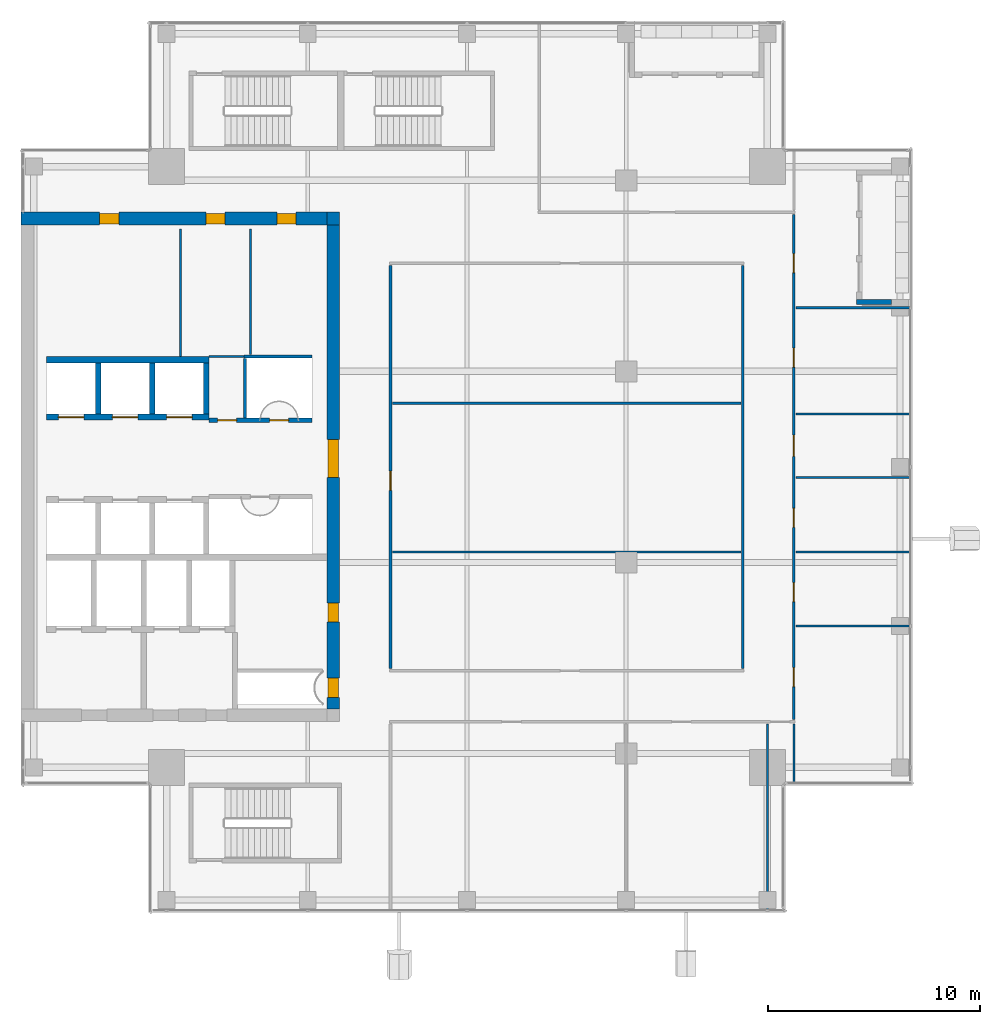
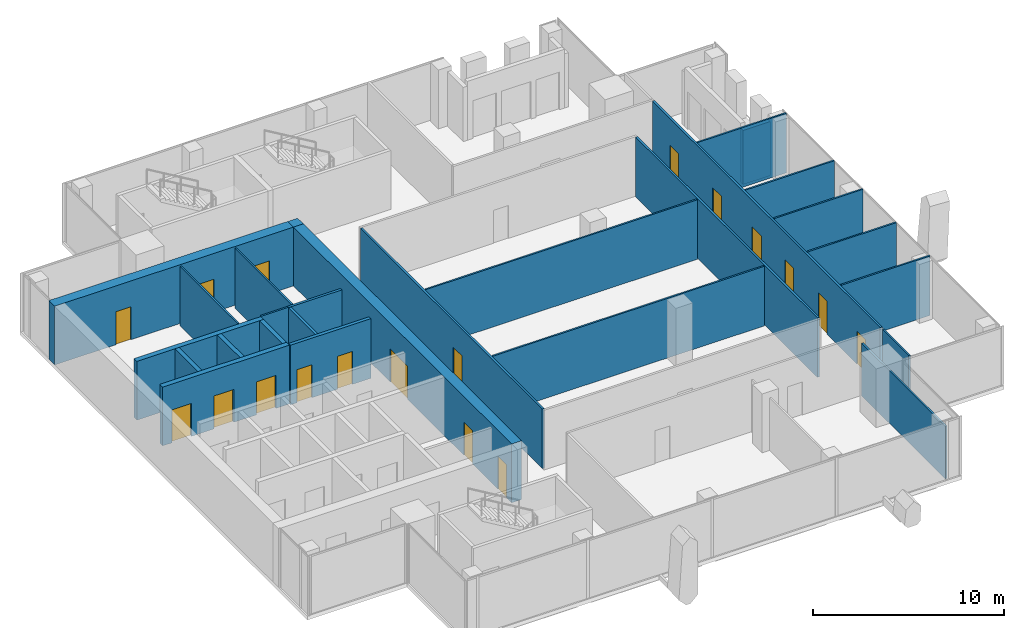
# One storey, part 24 of 28: 27 walls, 18 doors, 18 openings.
"""IFC4 building model written with IfcOpenShell, lengths in metres."""

from ifc_helpers import new_model, si_unit, direction, frame, frame_2d, origin, place, context, subcontext, project, spatial, rectangle, extrude, source, transform, mapped, material, layer, layer_set, type_object, element, fill, save


model = new_model("IFC4")

# Units and contexts
model_context = context("Model", 3, precision=1e-05, world=origin(), true_north=direction((0.0, 1.0)))
body_context = subcontext(model_context, "Body", "Model", "MODEL_VIEW")
ifc_project = project(units=[si_unit("LENGTHUNIT", "METRE"), si_unit("AREAUNIT", "SQUARE_METRE"), si_unit("VOLUMEUNIT", "CUBIC_METRE"), si_unit("PLANEANGLEUNIT", "RADIAN"), si_unit("MASSUNIT", "GRAM", prefix="KILO")], contexts=[model_context])

# Site, building, storey
site_placement = place(None, origin())
site = spatial("IfcSite", under=ifc_project, at=site_placement, CompositionType="ELEMENT")
building_placement = place(site_placement, origin())
building = spatial("IfcBuilding", under=site, at=building_placement, Name="Khomas Fold Tower", CompositionType="ELEMENT")
storey_placement = place(building_placement, frame((0.0, 0.0, 298.199951171875)))
storey = spatial("IfcBuildingStorey", under=building, at=storey_placement, Name="L67", CompositionType="ELEMENT", Elevation=298.199951171875)

# Walls
ifc_material_1 = material(Name="Concrete C50/60", Category="concrete")
ifc_layer_1 = layer(ifc_material_1, 0.25)
ifc_layer_set_1 = layer_set([ifc_layer_1], Name="Concrete C50/60")
wall_type_1 = type_object("IfcWallType", Name="Shaft wall 250", PredefinedType="STANDARD", material=ifc_layer_set_1)
shared_shape_1 = source(origin(), body_context, "Body", "SweptSolid", [
    extrude(rectangle(XDim=2.39990234375, YDim=0.25, at=frame_2d((1.199951171875, 0.0))), origin(), (0.0, 0.0, 1.0), 3.75),
])
for number, where, z_axis, x_axis, name in (
    (1, (9.625, 29.5, 0.0), (0.0, 0.0, 1.0), (0.0, 1.0, 0.0), "Core wall SW-HRN-P1"),
    (2, (12.175048828125, 29.5, 0.0), (0.0, 0.0, 1.0), (0.0, 1.0, 0.0), "Core wall SW-HRN-P2"),
    (3, (14.72509765625, 29.5, 0.0), (0.0, 0.0, 1.0), (0.0, 1.0, 0.0), "Core wall SW-HRN-PE"),
):
    element("IfcWall", number, at=place(storey_placement, frame(where, z_axis=z_axis, x_axis=x_axis)), inside=storey, type_object=wall_type_1, Name=name, PredefinedType="STANDARD", context=body_context, shape_type="MappedRepresentation", body=[
        mapped(shared_shape_1, transform((0.0, 0.0, 0.0))),
    ])

# Wall, openings, doors
ifc_material_2 = material(Name="Concrete C50/60", Category="concrete")
ifc_layer_2 = layer(ifc_material_2, 0.60009765625)
ifc_layer_set_2 = layer_set([ifc_layer_2], Name="Concrete C50/60")
wall_type_2 = type_object("IfcWallType", Name="Core wall 600", PredefinedType="SHEAR", material=ifc_layer_set_2)
shared_shape_2 = source(origin(), body_context, "Body", "SweptSolid", [
    extrude(rectangle(XDim=14.39990234375, YDim=0.60009765625, at=frame_2d((7.199951171875, 0.0))), origin(), (0.0, 0.0, 1.0), 3.75),
])
wall_1_placement = place(storey_placement, frame((6.0, 38.699951171875, 0.0), z_axis=(0.0, 0.0, 1.0), x_axis=(1.0, 0.0, 0.0)))
wall_1 = element("IfcWall", 4, at=wall_1_placement, inside=storey, type_object=wall_type_2, Name="Core wall CW-U-N-L63", PredefinedType="SHEAR", context=body_context, shape_type="MappedRepresentation", body=[
    mapped(shared_shape_2, transform((0.0, 0.0, 0.0))),
])
shared_shape_3 = source(origin(), body_context, "Body", "SweptSolid", [
    extrude(rectangle(XDim=0.89990234375, YDim=2.10009765625, at=frame_2d((0.449951171875, 1.050048828125))), frame((0.0, 0.31005859375, 0.0), z_axis=(0.0, -1.0, 0.0), x_axis=(1.0, 0.0, 0.0)), (0.0, 0.0, 1.0), 0.6201171875),
])
opening_1_placement = place(wall_1_placement, frame((3.699951171875, 0.0, 0.0)))
opening_1 = element("IfcOpeningElement", 5, at=opening_1_placement, cuts=wall_1, Name="Opening 0008", PredefinedType="OPENING", context=body_context, shape_type="MappedRepresentation", body=[
    mapped(shared_shape_3, transform((0.0, 0.0, 0.0))),
])
opening_2_placement = place(wall_1_placement, frame((8.699951171875, 0.0, 0.0)))
opening_2 = element("IfcOpeningElement", 6, at=opening_2_placement, cuts=wall_1, Name="Opening 0008", PredefinedType="OPENING", context=body_context, shape_type="MappedRepresentation", body=[
    mapped(shared_shape_3, transform((0.0, 0.0, 0.0))),
])
opening_3_placement = place(wall_1_placement, frame((12.050048828125, 0.0, 0.0)))
opening_3 = element("IfcOpeningElement", 7, at=opening_3_placement, cuts=wall_1, Name="Opening 0008", PredefinedType="OPENING", context=body_context, shape_type="MappedRepresentation", body=[
    mapped(shared_shape_3, transform((0.0, 0.0, 0.0))),
])
ifc_material_3 = material(Name="Timber door leaf", Category="wood")
door_type_1 = type_object("IfcDoorType", Name="Door 900x2100 right-hand", OperationType="SINGLE_SWING_RIGHT", PredefinedType="DOOR", material=ifc_material_3)
shared_shape_4 = source(origin(), body_context, "Body", "SweptSolid", [
    extrude(rectangle(XDim=0.89990234375, YDim=2.10009765625, at=frame_2d((0.449951171875, 1.050048828125))), frame((0.0, 0.25, 0.0), z_axis=(0.0, -1.0, 0.0), x_axis=(1.0, 0.0, 0.0)), (0.0, 0.0, 1.0), 0.5),
])
door_1_placement = place(opening_1_placement, origin())
door_1 = element("IfcDoor", 8, at=door_1_placement, inside=storey, type_object=door_type_1, Name="Door", OperationType="SINGLE_SWING_RIGHT", OverallHeight=2.10009765625, OverallWidth=0.89990234375, PredefinedType="DOOR", context=body_context, shape_type="MappedRepresentation", body=[
    mapped(shared_shape_4, transform((0.0, 0.0, 0.0))),
])
fill(opening_1, door_1)
door_2_placement = place(opening_2_placement, origin())
door_2 = element("IfcDoor", 9, at=door_2_placement, inside=storey, type_object=door_type_1, Name="Door", OperationType="SINGLE_SWING_RIGHT", OverallHeight=2.10009765625, OverallWidth=0.89990234375, PredefinedType="DOOR", context=body_context, shape_type="MappedRepresentation", body=[
    mapped(shared_shape_4, transform((0.0, 0.0, 0.0))),
])
fill(opening_2, door_2)
door_3_placement = place(opening_3_placement, origin())
door_3 = element("IfcDoor", 10, at=door_3_placement, inside=storey, type_object=door_type_1, Name="Door", OperationType="SINGLE_SWING_RIGHT", OverallHeight=2.10009765625, OverallWidth=0.89990234375, PredefinedType="DOOR", context=body_context, shape_type="MappedRepresentation", body=[
    mapped(shared_shape_4, transform((0.0, 0.0, 0.0))),
])
fill(opening_3, door_3)

# Wall
ifc_material_4 = material(Name="Concrete C50/60", Category="concrete")
ifc_layer_3 = layer(ifc_material_4, 0.60009765625)
ifc_layer_set_3 = layer_set([ifc_layer_3], Name="Concrete C50/60")
wall_type_3 = type_object("IfcWallType", Name="Core corner wall 600", PredefinedType="SHEAR", material=ifc_layer_set_3)
shared_shape_5 = source(origin(), body_context, "Body", "SweptSolid", [
    extrude(rectangle(XDim=0.60009765625, YDim=0.60009765625, at=frame_2d((0.300048828125, 0.0))), origin(), (0.0, 0.0, 1.0), 3.75),
])
wall_2_placement = place(storey_placement, frame((20.39990234375, 38.699951171875, 0.0), z_axis=(0.0, 0.0, 1.0), x_axis=(1.0, 0.0, 0.0)))
element("IfcWall", 11, at=wall_2_placement, inside=storey, type_object=wall_type_3, Name="Core wall CW-U-NE-L63", PredefinedType="SHEAR", context=body_context, shape_type="MappedRepresentation", body=[
    mapped(shared_shape_5, transform((0.0, 0.0, 0.0))),
])

# Wall, openings, doors
shared_shape_6 = source(origin(), body_context, "Body", "SweptSolid", [
    extrude(rectangle(XDim=22.7998046875, YDim=0.60009765625, at=frame_2d((11.39990234375, 0.0))), origin(), (0.0, 0.0, 1.0), 3.75),
])
wall_3_placement = place(storey_placement, frame((20.699951171875, 15.60009765625, 0.0), z_axis=(0.0, 0.0, 1.0), x_axis=(0.0, 1.0, 0.0)))
wall_3 = element("IfcWall", 12, at=wall_3_placement, inside=storey, type_object=wall_type_2, Name="Core wall CW-U-E-L63", PredefinedType="SHEAR", context=body_context, shape_type="MappedRepresentation", body=[
    mapped(shared_shape_6, transform((0.0, 0.0, 0.0))),
])
shared_shape_7 = source(origin(), body_context, "Body", "SweptSolid", [
    extrude(rectangle(XDim=1.800048828125, YDim=2.10009765625, at=frame_2d((0.89990234375, 1.050048828125))), frame((0.0, 0.31005859375, 0.0), z_axis=(0.0, -1.0, 0.0), x_axis=(1.0, 0.0, 0.0)), (0.0, 0.0, 1.0), 0.6201171875),
])
opening_4_placement = place(wall_3_placement, frame((10.89990234375, 0.0, 0.0)))
opening_4 = element("IfcOpeningElement", 13, at=opening_4_placement, cuts=wall_3, Name="Opening 0015", PredefinedType="OPENING", context=body_context, shape_type="MappedRepresentation", body=[
    mapped(shared_shape_7, transform((0.0, 0.0, 0.0))),
])
opening_5_placement = place(wall_3_placement, frame((0.550048828125, 0.0, 0.0)))
opening_5 = element("IfcOpeningElement", 14, at=opening_5_placement, cuts=wall_3, Name="Opening 0003", PredefinedType="OPENING", context=body_context, shape_type="MappedRepresentation", body=[
    mapped(shared_shape_3, transform((0.0, 0.0, 0.0))),
])
opening_6_placement = place(wall_3_placement, frame((4.10009765625, 0.0, 0.0)))
opening_6 = element("IfcOpeningElement", 15, at=opening_6_placement, cuts=wall_3, Name="Opening 0008", PredefinedType="OPENING", context=body_context, shape_type="MappedRepresentation", body=[
    mapped(shared_shape_3, transform((0.0, 0.0, 0.0))),
])
ifc_material_5 = material(Name="Steel door leaf", Category="steel")
door_type_2 = type_object("IfcDoorType", Name="Lobby door 1800x2100", OperationType="DOUBLE_DOOR_SINGLE_SWING", PredefinedType="DOOR", material=ifc_material_5)
shared_shape_8 = source(origin(), body_context, "Body", "SweptSolid", [
    extrude(rectangle(XDim=1.800048828125, YDim=2.10009765625, at=frame_2d((0.89990234375, 1.050048828125))), frame((0.0, 0.25, 0.0), z_axis=(0.0, -1.0, 0.0), x_axis=(1.0, 0.0, 0.0)), (0.0, 0.0, 1.0), 0.5),
])
door_4_placement = place(opening_4_placement, origin())
door_4 = element("IfcDoor", 16, at=door_4_placement, inside=storey, type_object=door_type_2, Name="Lobby door", OperationType="DOUBLE_DOOR_SINGLE_SWING", OverallHeight=2.10009765625, OverallWidth=1.800048828125, PredefinedType="DOOR", context=body_context, shape_type="MappedRepresentation", body=[
    mapped(shared_shape_8, transform((0.0, 0.0, 0.0))),
])
fill(opening_4, door_4)
ifc_material_6 = material(Name="Steel door leaf", Category="steel")
door_type_3 = type_object("IfcDoorType", Name="Plant room door 900x2100 right-hand", OperationType="SINGLE_SWING_RIGHT", PredefinedType="DOOR", material=ifc_material_6)
door_5_placement = place(opening_5_placement, origin())
door_5 = element("IfcDoor", 17, at=door_5_placement, inside=storey, type_object=door_type_3, Name="Plant room door", OperationType="SINGLE_SWING_RIGHT", OverallHeight=2.10009765625, OverallWidth=0.89990234375, PredefinedType="DOOR", context=body_context, shape_type="MappedRepresentation", body=[
    mapped(shared_shape_4, transform((0.0, 0.0, 0.0))),
])
fill(opening_5, door_5)
door_6_placement = place(opening_6_placement, origin())
door_6 = element("IfcDoor", 18, at=door_6_placement, inside=storey, type_object=door_type_1, Name="Door", OperationType="SINGLE_SWING_RIGHT", OverallHeight=2.10009765625, OverallWidth=0.89990234375, PredefinedType="DOOR", context=body_context, shape_type="MappedRepresentation", body=[
    mapped(shared_shape_4, transform((0.0, 0.0, 0.0))),
])
fill(opening_6, door_6)

# Wall
ifc_material_7 = material(Name="Concrete C50/60", Category="concrete")
ifc_layer_4 = layer(ifc_material_7, 0.300048828125)
ifc_layer_set_4 = layer_set([ifc_layer_4], Name="Concrete C50/60")
wall_type_4 = type_object("IfcWallType", Name="Shaft wall 300", PredefinedType="STANDARD", material=ifc_layer_set_4)
shared_shape_9 = source(origin(), body_context, "Body", "SweptSolid", [
    extrude(rectangle(XDim=7.650146484375, YDim=0.300048828125, at=frame_2d((3.8251953125, 0.0))), origin(), (0.0, 0.0, 1.0), 3.75),
])
wall_4_placement = place(storey_placement, frame((7.199951171875, 32.050048828125, 0.0), z_axis=(0.0, 0.0, 1.0), x_axis=(1.0, 0.0, 0.0)))
element("IfcWall", 19, at=wall_4_placement, inside=storey, type_object=wall_type_4, Name="Core wall SW-HRN-B", PredefinedType="STANDARD", context=body_context, shape_type="MappedRepresentation", body=[
    mapped(shared_shape_9, transform((0.0, 0.0, 0.0))),
])

# Wall, openings, doors
wall_5_placement = place(storey_placement, frame((7.199951171875, 29.35009765625, 0.0), z_axis=(0.0, 0.0, 1.0), x_axis=(1.0, 0.0, 0.0)))
wall_5 = element("IfcWall", 20, at=wall_5_placement, inside=storey, type_object=wall_type_4, Name="Core wall SW-HRN-F", PredefinedType="STANDARD", context=body_context, shape_type="MappedRepresentation", body=[
    mapped(shared_shape_9, transform((0.0, 0.0, 0.0))),
])
shared_shape_10 = source(origin(), body_context, "Body", "SweptSolid", [
    extrude(rectangle(XDim=1.199951171875, YDim=2.10009765625, at=frame_2d((0.60009765625, 1.050048828125))), frame((0.0, 0.159912109375, 0.0), z_axis=(0.0, -1.0, 0.0), x_axis=(1.0, 0.0, 0.0)), (0.0, 0.0, 1.0), 0.320068359375),
])
opening_7_placement = place(wall_5_placement, frame((0.550048828125, 0.0, 0.0)))
opening_7 = element("IfcOpeningElement", 21, at=opening_7_placement, cuts=wall_5, Name="Opening LD-HR4", PredefinedType="OPENING", context=body_context, shape_type="MappedRepresentation", body=[
    mapped(shared_shape_10, transform((0.0, 0.0, 0.0))),
])
opening_8_placement = place(wall_5_placement, frame((3.10009765625, 0.0, 0.0)))
opening_8 = element("IfcOpeningElement", 22, at=opening_8_placement, cuts=wall_5, Name="Opening LD-HR5", PredefinedType="OPENING", context=body_context, shape_type="MappedRepresentation", body=[
    mapped(shared_shape_10, transform((0.0, 0.0, 0.0))),
])
opening_9_placement = place(wall_5_placement, frame((5.64990234375, 0.0, 0.0)))
opening_9 = element("IfcOpeningElement", 23, at=opening_9_placement, cuts=wall_5, Name="Opening LD-HR6", PredefinedType="OPENING", context=body_context, shape_type="MappedRepresentation", body=[
    mapped(shared_shape_10, transform((0.0, 0.0, 0.0))),
])
ifc_material_8 = material(Name="Steel door leaf", Category="steel")
door_type_4 = type_object("IfcDoorType", Name="Landing door 1200x2100", OperationType="DOUBLE_DOOR_SLIDING", PredefinedType="DOOR", material=ifc_material_8)
shared_shape_11 = source(origin(), body_context, "Body", "SweptSolid", [
    extrude(rectangle(XDim=1.199951171875, YDim=2.10009765625, at=frame_2d((0.60009765625, 1.050048828125))), frame((0.0, 0.02490234375, 0.0), z_axis=(0.0, -1.0, 0.0), x_axis=(1.0, 0.0, 0.0)), (0.0, 0.0, 1.0), 0.050048828125),
])
door_7_placement = place(opening_7_placement, origin())
door_7 = element("IfcDoor", 24, at=door_7_placement, inside=storey, type_object=door_type_4, Name="Lift landing door", OperationType="DOUBLE_DOOR_SLIDING", OverallHeight=2.10009765625, OverallWidth=1.199951171875, PredefinedType="DOOR", context=body_context, shape_type="MappedRepresentation", body=[
    mapped(shared_shape_11, transform((0.0, 0.0, 0.0))),
])
fill(opening_7, door_7)
door_8_placement = place(opening_8_placement, origin())
door_8 = element("IfcDoor", 25, at=door_8_placement, inside=storey, type_object=door_type_4, Name="Lift landing door", OperationType="DOUBLE_DOOR_SLIDING", OverallHeight=2.10009765625, OverallWidth=1.199951171875, PredefinedType="DOOR", context=body_context, shape_type="MappedRepresentation", body=[
    mapped(shared_shape_11, transform((0.0, 0.0, 0.0))),
])
fill(opening_8, door_8)
door_9_placement = place(opening_9_placement, origin())
door_9 = element("IfcDoor", 26, at=door_9_placement, inside=storey, type_object=door_type_4, Name="Lift landing door", OperationType="DOUBLE_DOOR_SLIDING", OverallHeight=2.10009765625, OverallWidth=1.199951171875, PredefinedType="DOOR", context=body_context, shape_type="MappedRepresentation", body=[
    mapped(shared_shape_11, transform((0.0, 0.0, 0.0))),
])
fill(opening_9, door_9)

# Walls
ifc_material_9 = material(Name="Natural stone", Category="masonry")
ifc_layer_5 = layer(ifc_material_9, 0.0400390625)
ifc_material_10 = material(Name="Mineral wool insulation", Category="insulation")
ifc_layer_6 = layer(ifc_material_10, 0.10009765625)
ifc_material_11 = material(Name="Masonry", Category="masonry")
ifc_layer_7 = layer(ifc_material_11, 0.110107421875)
ifc_layer_set_5 = layer_set([ifc_layer_5, ifc_layer_6, ifc_layer_7], Name="Stone-faced insulated masonry")
wall_type_5 = type_object("IfcWallType", Name="BL-Balcony wall", PredefinedType="SOLIDWALL", material=ifc_layer_set_5)
shared_shape_12 = source(origin(), body_context, "Body", "SweptSolid", [
    extrude(rectangle(XDim=1.64990234375, YDim=0.25, at=frame_2d((0.824951171875, 0.0))), origin(), (0.0, 0.0, 1.0), 3.449951171875),
])
wall_6_placement = place(storey_placement, frame((47.0, 34.77490234375, 0.0), z_axis=(0.0, 0.0, 1.0), x_axis=(-1.0, 0.0, 0.0)))
element("IfcWall", 27, at=wall_6_placement, inside=storey, type_object=wall_type_5, Name="Balcony return wall BAL-L67-E4-lo", PredefinedType="SOLIDWALL", context=body_context, shape_type="MappedRepresentation", body=[
    mapped(shared_shape_12, transform((0.0, 0.0, 0.0))),
])
ifc_material_12 = material(Name="Plasterboard partition")
ifc_layer_8 = layer(ifc_material_12, 0.10009765625)
ifc_layer_set_6 = layer_set([ifc_layer_8], Name="Plasterboard partition")
wall_type_6 = type_object("IfcWallType", Name="Partition PW1 100", PredefinedType="PARTITIONING", material=ifc_layer_set_6)
shared_shape_13 = source(origin(), body_context, "Body", "SweptSolid", [
    extrude(rectangle(XDim=6.0, YDim=0.10009765625, at=frame_2d((3.0, 0.0))), origin(), (0.0, 0.0, 1.0), 3.800048828125),
])
wall_7_placement = place(storey_placement, frame((13.5, 32.199951171875, 0.0), z_axis=(0.0, 0.0, 1.0), x_axis=(0.0, 1.0, 0.0)))
element("IfcWall", 28, at=wall_7_placement, inside=storey, type_object=wall_type_6, Name="Partition", PredefinedType="PARTITIONING", context=body_context, shape_type="MappedRepresentation", body=[
    mapped(shared_shape_13, transform((0.0, 0.0, 0.0))),
])

# Wall, opening, door
ifc_material_13 = material(Name="Plasterboard partition")
ifc_layer_9 = layer(ifc_material_13, 0.125)
ifc_layer_set_7 = layer_set([ifc_layer_9], Name="Plasterboard partition")
wall_type_7 = type_object("IfcWallType", Name="Partition PW2 125", PredefinedType="PARTITIONING", material=ifc_layer_set_7)
shared_shape_14 = source(origin(), body_context, "Body", "SweptSolid", [
    extrude(rectangle(XDim=19.0, YDim=0.125, at=frame_2d((9.5, 0.0))), origin(), (0.0, 0.0, 1.0), 3.800048828125),
])
wall_8_placement = place(storey_placement, frame((23.39990234375, 17.5, 0.0), z_axis=(0.0, 0.0, 1.0), x_axis=(0.0, 1.0, 0.0)))
wall_8 = element("IfcWall", 29, at=wall_8_placement, inside=storey, type_object=wall_type_7, Name="Partition", PredefinedType="PARTITIONING", context=body_context, shape_type="MappedRepresentation", body=[
    mapped(shared_shape_14, transform((0.0, 0.0, 0.0))),
])
shared_shape_15 = source(origin(), body_context, "Body", "SweptSolid", [
    extrude(rectangle(XDim=0.89990234375, YDim=2.10009765625, at=frame_2d((0.449951171875, 1.050048828125))), frame((0.0, 0.072509765625, 0.0), z_axis=(0.0, -1.0, 0.0), x_axis=(1.0, 0.0, 0.0)), (0.0, 0.0, 1.0), 0.14501953125),
])
opening_10_placement = place(wall_8_placement, frame((8.39990234375, 0.0, 0.0)))
opening_10 = element("IfcOpeningElement", 30, at=opening_10_placement, cuts=wall_8, Name="Opening 0007", PredefinedType="OPENING", context=body_context, shape_type="MappedRepresentation", body=[
    mapped(shared_shape_15, transform((0.0, 0.0, 0.0))),
])
ifc_material_14 = material(Name="Timber door leaf", Category="wood")
door_type_5 = type_object("IfcDoorType", Name="Door 900x2100 left-hand", OperationType="SINGLE_SWING_LEFT", PredefinedType="DOOR", material=ifc_material_14)
shared_shape_16 = source(origin(), body_context, "Body", "SweptSolid", [
    extrude(rectangle(XDim=0.89990234375, YDim=2.10009765625, at=frame_2d((0.449951171875, 1.050048828125))), frame((0.0, 0.02490234375, 0.0), z_axis=(0.0, -1.0, 0.0), x_axis=(1.0, 0.0, 0.0)), (0.0, 0.0, 1.0), 0.050048828125),
])
door_10_placement = place(opening_10_placement, origin())
door_10 = element("IfcDoor", 31, at=door_10_placement, inside=storey, type_object=door_type_5, Name="Door", OperationType="SINGLE_SWING_LEFT", OverallHeight=2.10009765625, OverallWidth=0.89990234375, PredefinedType="DOOR", context=body_context, shape_type="MappedRepresentation", body=[
    mapped(shared_shape_16, transform((0.0, 0.0, 0.0))),
])
fill(opening_10, door_10)

# Wall
wall_9_placement = place(storey_placement, frame((40.0, 17.5, 0.0), z_axis=(0.0, 0.0, 1.0), x_axis=(0.0, 1.0, 0.0)))
element("IfcWall", 32, at=wall_9_placement, inside=storey, type_object=wall_type_7, Name="Partition", PredefinedType="PARTITIONING", context=body_context, shape_type="MappedRepresentation", body=[
    mapped(shared_shape_14, transform((0.0, 0.0, 0.0))),
])

# Wall, openings, doors
ifc_material_15 = material(Name="Concrete C30/37", Category="concrete")
ifc_layer_10 = layer(ifc_material_15, 0.199951171875)
ifc_layer_set_8 = layer_set([ifc_layer_10], Name="Concrete C30/37")
wall_type_8 = type_object("IfcWallType", Name="Lobby wall PW4 200", PredefinedType="PARTITIONING", material=ifc_layer_set_8)
shared_shape_17 = source(origin(), body_context, "Body", "SweptSolid", [
    extrude(rectangle(XDim=4.849853515625, YDim=0.199951171875, at=frame_2d((2.4248046875, 0.0))), origin(), (0.0, 0.0, 1.0), 3.800048828125),
])
wall_10_placement = place(storey_placement, frame((14.85009765625, 29.199951171875, 0.0), z_axis=(0.0, 0.0, 1.0), x_axis=(1.0, 0.0, 0.0)))
wall_10 = element("IfcWall", 33, at=wall_10_placement, inside=storey, type_object=wall_type_8, Name="Lobby wall", PredefinedType="PARTITIONING", context=body_context, shape_type="MappedRepresentation", body=[
    mapped(shared_shape_17, transform((0.0, 0.0, 0.0))),
])
shared_shape_18 = source(origin(), body_context, "Body", "SweptSolid", [
    extrude(rectangle(XDim=0.89990234375, YDim=2.10009765625, at=frame_2d((0.449951171875, 1.050048828125))), frame((0.0, 0.10986328125, 0.0), z_axis=(0.0, -1.0, 0.0), x_axis=(1.0, 0.0, 0.0)), (0.0, 0.0, 1.0), 0.219970703125),
])
opening_11_placement = place(wall_10_placement, frame((0.39990234375, 0.0, 0.0)))
opening_11 = element("IfcOpeningElement", 34, at=opening_11_placement, cuts=wall_10, Name="Opening 0021", PredefinedType="OPENING", context=body_context, shape_type="MappedRepresentation", body=[
    mapped(shared_shape_18, transform((0.0, 0.0, 0.0))),
])
opening_12_placement = place(wall_10_placement, frame((2.85009765625, 0.0, 0.0)))
opening_12 = element("IfcOpeningElement", 35, at=opening_12_placement, cuts=wall_10, Name="Opening 0003", PredefinedType="OPENING", context=body_context, shape_type="MappedRepresentation", body=[
    mapped(shared_shape_18, transform((0.0, 0.0, 0.0))),
])
ifc_material_16 = material(Name="Steel door leaf", Category="steel")
door_type_6 = type_object("IfcDoorType", Name="Lobby door 900x2100 left-hand", OperationType="SINGLE_SWING_LEFT", PredefinedType="DOOR", material=ifc_material_16)
door_11_placement = place(opening_11_placement, origin())
door_11 = element("IfcDoor", 36, at=door_11_placement, inside=storey, type_object=door_type_6, Name="Lobby door", OperationType="SINGLE_SWING_LEFT", OverallHeight=2.10009765625, OverallWidth=0.89990234375, PredefinedType="DOOR", context=body_context, shape_type="MappedRepresentation", body=[
    mapped(shared_shape_16, transform((0.0, 0.0, 0.0))),
])
fill(opening_11, door_11)
door_12_placement = place(opening_12_placement, origin())
door_12 = element("IfcDoor", 37, at=door_12_placement, inside=storey, type_object=door_type_3, Name="Plant room door", OperationType="SINGLE_SWING_RIGHT", OverallHeight=2.10009765625, OverallWidth=0.89990234375, PredefinedType="DOOR", context=body_context, shape_type="MappedRepresentation", body=[
    mapped(shared_shape_16, transform((0.0, 0.0, 0.0))),
])
fill(opening_12, door_12)

# Walls
ifc_material_17 = material(Name="Plasterboard fire partition")
ifc_layer_11 = layer(ifc_material_17, 0.14990234375)
ifc_layer_set_9 = layer_set([ifc_layer_11], Name="Plasterboard fire partition")
wall_type_9 = type_object("IfcWallType", Name="Plant room wall PW3 150", PredefinedType="PARTITIONING", material=ifc_layer_set_9)
shared_shape_19 = source(origin(), body_context, "Body", "SweptSolid", [
    extrude(rectangle(XDim=2.800048828125, YDim=0.14990234375, at=frame_2d((1.39990234375, 0.0))), origin(), (0.0, 0.0, 1.0), 3.800048828125),
])
wall_11_placement = place(storey_placement, frame((16.550048828125, 29.300048828125, 0.0), z_axis=(0.0, 0.0, 1.0), x_axis=(0.0, 1.0, 0.0)))
element("IfcWall", 38, at=wall_11_placement, inside=storey, type_object=wall_type_9, Name="Plant room wall", PredefinedType="PARTITIONING", context=body_context, shape_type="MappedRepresentation", body=[
    mapped(shared_shape_19, transform((0.0, 0.0, 0.0))),
])
shared_shape_20 = source(origin(), body_context, "Body", "SweptSolid", [
    extrude(rectangle(XDim=1.64990234375, YDim=0.10009765625, at=frame_2d((0.824951171875, 0.0))), origin(), (0.0, 0.0, 1.0), 3.800048828125),
])
wall_12_placement = place(storey_placement, frame((14.85009765625, 32.199951171875, 0.0), z_axis=(0.0, 0.0, 1.0), x_axis=(1.0, 0.0, 0.0)))
element("IfcWall", 39, at=wall_12_placement, inside=storey, type_object=wall_type_6, Name="Partition", PredefinedType="PARTITIONING", context=body_context, shape_type="MappedRepresentation", body=[
    mapped(shared_shape_20, transform((0.0, 0.0, 0.0))),
])
shared_shape_21 = source(origin(), body_context, "Body", "SweptSolid", [
    extrude(rectangle(XDim=3.199951171875, YDim=0.14990234375, at=frame_2d((1.60009765625, 0.0))), origin(), (0.0, 0.0, 1.0), 3.800048828125),
])
wall_13_placement = place(storey_placement, frame((16.5, 32.199951171875, 0.0), z_axis=(0.0, 0.0, 1.0), x_axis=(1.0, 0.0, 0.0)))
element("IfcWall", 40, at=wall_13_placement, inside=storey, type_object=wall_type_9, Name="Plant room wall", PredefinedType="PARTITIONING", context=body_context, shape_type="MappedRepresentation", body=[
    mapped(shared_shape_21, transform((0.0, 0.0, 0.0))),
])
shared_shape_22 = source(origin(), body_context, "Body", "SweptSolid", [
    extrude(rectangle(XDim=5.89990234375, YDim=0.10009765625, at=frame_2d((2.949951171875, 0.0))), origin(), (0.0, 0.0, 1.0), 3.800048828125),
])
wall_14_placement = place(storey_placement, frame((16.800048828125, 32.300048828125, 0.0), z_axis=(0.0, 0.0, 1.0), x_axis=(0.0, 1.0, 0.0)))
element("IfcWall", 41, at=wall_14_placement, inside=storey, type_object=wall_type_6, Name="Partition", PredefinedType="PARTITIONING", context=body_context, shape_type="MappedRepresentation", body=[
    mapped(shared_shape_22, transform((0.0, 0.0, 0.0))),
])
shared_shape_23 = source(origin(), body_context, "Body", "SweptSolid", [
    extrude(rectangle(XDim=8.75, YDim=0.10009765625, at=frame_2d((4.375, 0.0))), origin(), (0.0, 0.0, 1.0), 3.35009765625),
])
wall_15_placement = place(storey_placement, frame((41.14990234375, 6.14990234375, 0.0), z_axis=(0.0, 0.0, 1.0), x_axis=(0.0, 1.0, 0.0)))
element("IfcWall", 42, at=wall_15_placement, inside=storey, type_object=wall_type_6, Name="Partition", PredefinedType="PARTITIONING", context=body_context, shape_type="MappedRepresentation", body=[
    mapped(shared_shape_23, transform((0.0, 0.0, 0.0))),
])
shared_shape_24 = source(origin(), body_context, "Body", "SweptSolid", [
    extrude(rectangle(XDim=2.75, YDim=0.10009765625, at=frame_2d((1.375, 0.0))), origin(), (0.0, 0.0, 1.0), 3.800048828125),
])
wall_16_placement = place(storey_placement, frame((42.39990234375, 12.14990234375, 0.0), z_axis=(0.0, 0.0, 1.0), x_axis=(0.0, 1.0, 0.0)))
element("IfcWall", 43, at=wall_16_placement, inside=storey, type_object=wall_type_6, Name="Partition", PredefinedType="PARTITIONING", context=body_context, shape_type="MappedRepresentation", body=[
    mapped(shared_shape_24, transform((0.0, 0.0, 0.0))),
])

# Wall, openings, doors
shared_shape_25 = source(origin(), body_context, "Body", "SweptSolid", [
    extrude(rectangle(XDim=23.7998046875, YDim=0.125, at=frame_2d((11.89990234375, 0.0))), origin(), (0.0, 0.0, 1.0), 3.800048828125),
])
wall_17_placement = place(storey_placement, frame((42.39990234375, 15.10009765625, 0.0), z_axis=(0.0, 0.0, 1.0), x_axis=(0.0, 1.0, 0.0)))
wall_17 = element("IfcWall", 44, at=wall_17_placement, inside=storey, type_object=wall_type_7, Name="Partition", PredefinedType="PARTITIONING", context=body_context, shape_type="MappedRepresentation", body=[
    mapped(shared_shape_25, transform((0.0, 0.0, 0.0))),
])
opening_13_placement = place(wall_17_placement, frame((1.550048828125, 0.0, 0.0)))
opening_13 = element("IfcOpeningElement", 45, at=opening_13_placement, cuts=wall_17, Name="Opening 0007", PredefinedType="OPENING", context=body_context, shape_type="MappedRepresentation", body=[
    mapped(shared_shape_15, transform((0.0, 0.0, 0.0))),
])
opening_14_placement = place(wall_17_placement, frame((5.550048828125, 0.0, 0.0)))
opening_14 = element("IfcOpeningElement", 46, at=opening_14_placement, cuts=wall_17, Name="Opening 0005", PredefinedType="OPENING", context=body_context, shape_type="MappedRepresentation", body=[
    mapped(shared_shape_15, transform((0.0, 0.0, 0.0))),
])
opening_15_placement = place(wall_17_placement, frame((9.050048828125, 0.0, 0.0)))
opening_15 = element("IfcOpeningElement", 47, at=opening_15_placement, cuts=wall_17, Name="Opening 0005", PredefinedType="OPENING", context=body_context, shape_type="MappedRepresentation", body=[
    mapped(shared_shape_15, transform((0.0, 0.0, 0.0))),
])
shared_shape_26 = source(origin(), body_context, "Body", "SweptSolid", [
    extrude(rectangle(XDim=1.0, YDim=2.10009765625, at=frame_2d((0.5, 1.050048828125))), frame((0.0, 0.072509765625, 0.0), z_axis=(0.0, -1.0, 0.0), x_axis=(1.0, 0.0, 0.0)), (0.0, 0.0, 1.0), 0.14501953125),
])
opening_16_placement = place(wall_17_placement, frame((12.39990234375, 0.0, 0.0)))
opening_16 = element("IfcOpeningElement", 48, at=opening_16_placement, cuts=wall_17, Name="Opening 0006", PredefinedType="OPENING", context=body_context, shape_type="MappedRepresentation", body=[
    mapped(shared_shape_26, transform((0.0, 0.0, 0.0))),
])
opening_17_placement = place(wall_17_placement, frame((16.60009765625, 0.0, 0.0)))
opening_17 = element("IfcOpeningElement", 49, at=opening_17_placement, cuts=wall_17, Name="Opening 0008", PredefinedType="OPENING", context=body_context, shape_type="MappedRepresentation", body=[
    mapped(shared_shape_15, transform((0.0, 0.0, 0.0))),
])
opening_18_placement = place(wall_17_placement, frame((21.050048828125, 0.0, 0.0)))
opening_18 = element("IfcOpeningElement", 50, at=opening_18_placement, cuts=wall_17, Name="Opening 0007", PredefinedType="OPENING", context=body_context, shape_type="MappedRepresentation", body=[
    mapped(shared_shape_15, transform((0.0, 0.0, 0.0))),
])
door_13_placement = place(opening_13_placement, origin())
door_13 = element("IfcDoor", 51, at=door_13_placement, inside=storey, type_object=door_type_5, Name="Door", OperationType="SINGLE_SWING_LEFT", OverallHeight=2.10009765625, OverallWidth=0.89990234375, PredefinedType="DOOR", context=body_context, shape_type="MappedRepresentation", body=[
    mapped(shared_shape_16, transform((0.0, 0.0, 0.0))),
])
fill(opening_13, door_13)
ifc_material_18 = material(Name="Timber door leaf", Category="wood")
door_type_7 = type_object("IfcDoorType", Name="WC door 900x2100 left-hand", OperationType="SINGLE_SWING_LEFT", PredefinedType="DOOR", material=ifc_material_18)
door_14_placement = place(opening_14_placement, origin())
door_14 = element("IfcDoor", 52, at=door_14_placement, inside=storey, type_object=door_type_7, Name="WC door", OperationType="SINGLE_SWING_LEFT", OverallHeight=2.10009765625, OverallWidth=0.89990234375, PredefinedType="DOOR", context=body_context, shape_type="MappedRepresentation", body=[
    mapped(shared_shape_16, transform((0.0, 0.0, 0.0))),
])
fill(opening_14, door_14)
door_15_placement = place(opening_15_placement, origin())
door_15 = element("IfcDoor", 53, at=door_15_placement, inside=storey, type_object=door_type_7, Name="WC door", OperationType="SINGLE_SWING_LEFT", OverallHeight=2.10009765625, OverallWidth=0.89990234375, PredefinedType="DOOR", context=body_context, shape_type="MappedRepresentation", body=[
    mapped(shared_shape_16, transform((0.0, 0.0, 0.0))),
])
fill(opening_15, door_15)
door_16_placement = place(opening_17_placement, origin())
door_16 = element("IfcDoor", 54, at=door_16_placement, inside=storey, type_object=door_type_1, Name="Door", OperationType="SINGLE_SWING_RIGHT", OverallHeight=2.10009765625, OverallWidth=0.89990234375, PredefinedType="DOOR", context=body_context, shape_type="MappedRepresentation", body=[
    mapped(shared_shape_16, transform((0.0, 0.0, 0.0))),
])
fill(opening_17, door_16)
door_17_placement = place(opening_18_placement, origin())
door_17 = element("IfcDoor", 55, at=door_17_placement, inside=storey, type_object=door_type_5, Name="Door", OperationType="SINGLE_SWING_LEFT", OverallHeight=2.10009765625, OverallWidth=0.89990234375, PredefinedType="DOOR", context=body_context, shape_type="MappedRepresentation", body=[
    mapped(shared_shape_16, transform((0.0, 0.0, 0.0))),
])
fill(opening_18, door_17)
ifc_material_19 = material(Name="Timber door leaf", Category="wood")
door_type_8 = type_object("IfcDoorType", Name="WC door 1000x2100 right-hand", OperationType="SINGLE_SWING_RIGHT", PredefinedType="DOOR", material=ifc_material_19)
shared_shape_27 = source(origin(), body_context, "Body", "SweptSolid", [
    extrude(rectangle(XDim=1.0, YDim=2.10009765625, at=frame_2d((0.5, 1.050048828125))), frame((0.0, 0.02490234375, 0.0), z_axis=(0.0, -1.0, 0.0), x_axis=(1.0, 0.0, 0.0)), (0.0, 0.0, 1.0), 0.050048828125),
])
door_18_placement = place(opening_16_placement, origin())
door_18 = element("IfcDoor", 56, at=door_18_placement, inside=storey, type_object=door_type_8, Name="WC door", OperationType="SINGLE_SWING_RIGHT", OverallHeight=2.10009765625, OverallWidth=1.0, PredefinedType="DOOR", context=body_context, shape_type="MappedRepresentation", body=[
    mapped(shared_shape_27, transform((0.0, 0.0, 0.0))),
])
fill(opening_16, door_18)

# Walls
shared_shape_28 = source(origin(), body_context, "Body", "SweptSolid", [
    extrude(rectangle(XDim=16.39990234375, YDim=0.10009765625, at=frame_2d((8.199951171875, 0.0))), origin(), (0.0, 0.0, 1.0), 3.800048828125),
])
for number, where, z_axis, x_axis, name in (
    (57, (23.5, 23.0, 0.0), (0.0, 0.0, 1.0), (1.0, 0.0, 0.0), "Partition"),
    (58, (23.5, 30.0, 0.0), (0.0, 0.0, 1.0), (1.0, 0.0, 0.0), "Partition"),
):
    element("IfcWall", number, at=place(storey_placement, frame(where, z_axis=z_axis, x_axis=x_axis)), inside=storey, type_object=wall_type_6, Name=name, PredefinedType="PARTITIONING", context=body_context, shape_type="MappedRepresentation", body=[
        mapped(shared_shape_28, transform((0.0, 0.0, 0.0))),
    ])
shared_shape_29 = source(origin(), body_context, "Body", "SweptSolid", [
    extrude(rectangle(XDim=5.35009765625, YDim=0.10009765625, at=frame_2d((2.675048828125, 0.0))), origin(), (0.0, 0.0, 1.0), 3.800048828125),
])
for number, where, z_axis, x_axis, name in (
    (59, (42.5, 19.5, 0.0), (0.0, 0.0, 1.0), (1.0, 0.0, 0.0), "Partition"),
    (60, (42.5, 23.0, 0.0), (0.0, 0.0, 1.0), (1.0, 0.0, 0.0), "Partition"),
    (61, (42.5, 26.5, 0.0), (0.0, 0.0, 1.0), (1.0, 0.0, 0.0), "Partition"),
    (62, (42.5, 29.5, 0.0), (0.0, 0.0, 1.0), (1.0, 0.0, 0.0), "Partition"),
    (63, (42.5, 34.5, 0.0), (0.0, 0.0, 1.0), (1.0, 0.0, 0.0), "Partition"),
):
    element("IfcWall", number, at=place(storey_placement, frame(where, z_axis=z_axis, x_axis=x_axis)), inside=storey, type_object=wall_type_6, Name=name, PredefinedType="PARTITIONING", context=body_context, shape_type="MappedRepresentation", body=[
        mapped(shared_shape_29, transform((0.0, 0.0, 0.0))),
    ])

save(model, "model.ifc")
